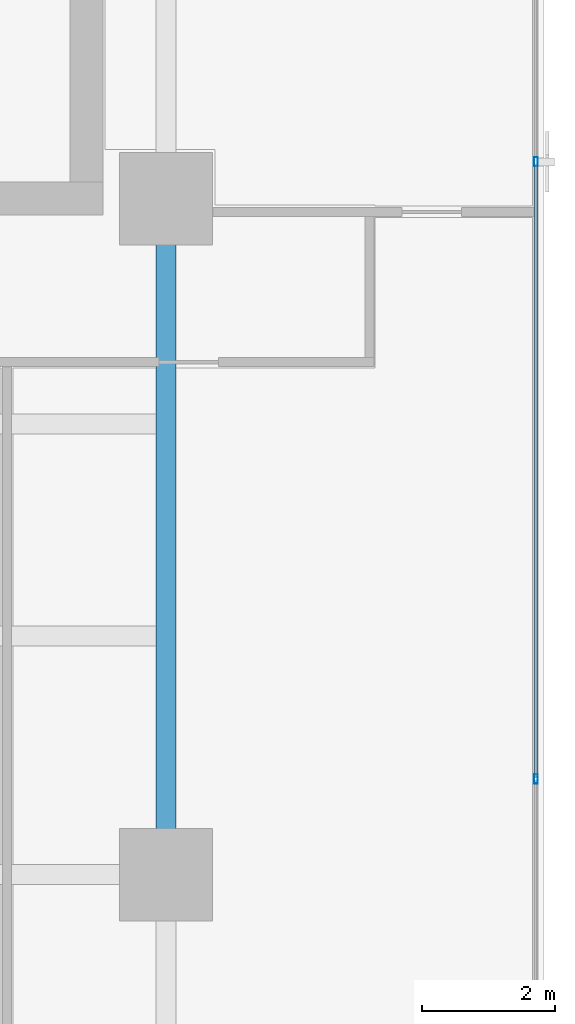
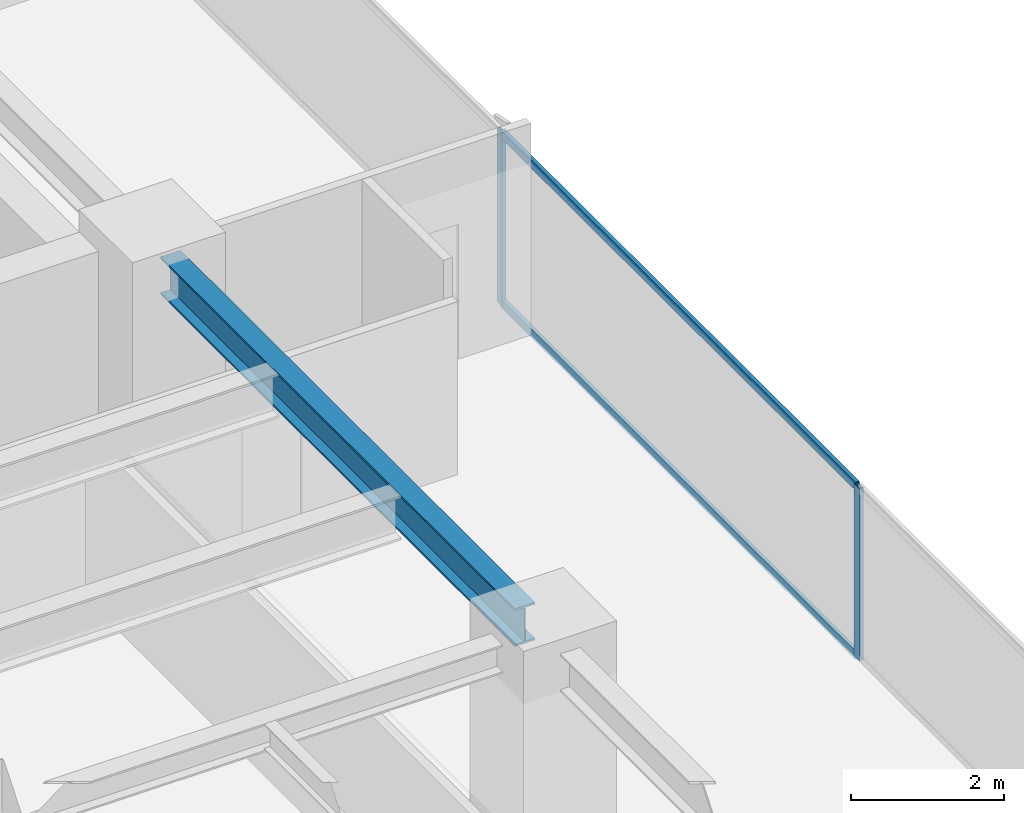
# One storey, part 13 of 25: 4 members, 1 beam, 1 element without a shape of its own.
"""IFC4 building model written with IfcOpenShell, lengths in metres."""

from ifc_helpers import new_model, si_unit, direction, frame, origin, origin_2d, place, context, subcontext, project, spatial, hollow_rectangle, i_section, extrude, source, transform, mapped, material, layer, layer_set, material_profile, profile_set, type_object, element, aggregate, save


model = new_model("IFC4")

# Units and contexts
model_context = context("Model", 3, precision=1e-05, world=origin(), true_north=direction((0.0, 1.0)))
body_context = subcontext(model_context, "Body", "Model", "MODEL_VIEW")
ifc_project = project(units=[si_unit("LENGTHUNIT", "METRE"), si_unit("AREAUNIT", "SQUARE_METRE"), si_unit("VOLUMEUNIT", "CUBIC_METRE"), si_unit("PLANEANGLEUNIT", "RADIAN"), si_unit("MASSUNIT", "GRAM", prefix="KILO")], contexts=[model_context])

# Site, building, storey
site_placement = place(None, origin())
site = spatial("IfcSite", under=ifc_project, at=site_placement, CompositionType="ELEMENT")
building_placement = place(site_placement, origin())
building = spatial("IfcBuilding", under=site, at=building_placement, Name="Sumidabori Civic Tower", CompositionType="ELEMENT")
storey_placement = place(building_placement, frame((0.0, 0.0, 232.39990234375)))
storey = spatial("IfcBuildingStorey", under=building, at=storey_placement, Name="L60", CompositionType="ELEMENT", Elevation=232.39990234375)

# Beam
ifc_material_1 = material(Name="Steel SN490", Category="steel")
ifc_material_profile_1 = material_profile(ifc_material_1, i_section(OverallWidth=0.300048828125, OverallDepth=0.60009765625, WebThickness=0.015380859375, FlangeThickness=0.030029296875, at=origin_2d()), Name="HE 600 B")
ifc_profile_set_1 = profile_set([ifc_material_profile_1], Name="Steel SN490")
beam_type = type_object("IfcBeamType", Name="BM-GIRD-600", PredefinedType="BEAM", material=ifc_profile_set_1)
shared_shape_1 = source(origin(), body_context, "Body", "SweptSolid", [
    extrude(i_section(OverallWidth=0.300048828125, OverallDepth=0.60009765625, WebThickness=0.015380859375, FlangeThickness=0.030029296875, at=origin_2d()), origin(), (0.0, 0.0, 1.0), 9.239990234375),
])
beam_placement = place(storey_placement, frame((16.800048828125, 0.47998046875, 3.070068359375), z_axis=(0.0, 1.0, 0.0), x_axis=(-1.0, 0.0, 0.0)))
element("IfcBeam", 1, at=beam_placement, inside=storey, type_object=beam_type, Name="Primary Girder L60 GY-16", PredefinedType="BEAM", context=body_context, shape_type="MappedRepresentation", body=[
    mapped(shared_shape_1, transform((0.0, 0.0, 0.0), x_axis=(1.0, 0.0, 0.0), y_axis=(0.0, 1.0, 0.0), z_axis=(0.0, 0.0, 1.0), scale=1.0)),
])

# Curtain wall, members
ifc_material_2 = material(Name="Anodised Bronze Aluminium AW-6063-T6", Category="aluminium")
ifc_layer = layer(ifc_material_2, 0.179931640625, Name="Anodised Bronze Aluminium AW-6063-T6")
ifc_layer_set = layer_set([ifc_layer], Name="Anodised Bronze Aluminium AW-6063-T6")
curtain_wall_type = type_object("IfcCurtainWallType", Name="CW-SYS-5", PredefinedType="NOTDEFINED", material=ifc_layer_set)
curtain_wall_placement = place(storey_placement, origin())
curtain_wall = element("IfcCurtainWall", 2, at=curtain_wall_placement, inside=storey, type_object=curtain_wall_type, Name="Curtain Wall CW:L60:R04", PredefinedType="NOTDEFINED")
ifc_material_profile_2 = material_profile(ifc_material_2, hollow_rectangle(XDim=0.06005859375, YDim=0.139892578125, WallThickness=0.0048828125, at=origin_2d()), Name="ALU MULLION 140x60")
ifc_profile_set_2 = profile_set([ifc_material_profile_2], Name="Anodised Bronze Aluminium AW-6063-T6")
member_type_1 = type_object("IfcMemberType", Name="CW-MUL-140", PredefinedType="MULLION", material=ifc_profile_set_2)
shared_shape_2 = source(origin(), body_context, "Body", "SweptSolid", [
    extrude(hollow_rectangle(XDim=0.06005859375, YDim=0.139892578125, WallThickness=0.0048828125, at=origin_2d()), origin(), (0.0, 0.0, 1.0), 2.75),
])
member_1_placement = place(storey_placement, frame((22.3798828125, 1.443359375, 0.0), z_axis=(0.0, 0.0, 1.0), x_axis=(-1.0, 0.0, 0.0)))
member_1 = element("IfcMember", 3, at=member_1_placement, type_object=member_type_1, Name="CW-5 mullion 2", PredefinedType="MULLION", context=body_context, shape_type="MappedRepresentation", body=[
    mapped(shared_shape_2, transform((0.0, 0.0, 0.0), x_axis=(1.0, 0.0, 0.0), y_axis=(0.0, 1.0, 0.0), z_axis=(0.0, 0.0, 1.0), scale=1.0)),
])
member_2_placement = place(storey_placement, frame((22.3798828125, 10.756591796875, 0.0), z_axis=(0.0, 0.0, 1.0), x_axis=(-1.0, 0.0, 0.0)))
member_2 = element("IfcMember", 4, at=member_2_placement, type_object=member_type_1, Name="CW-5 mullion 3", PredefinedType="MULLION", context=body_context, shape_type="MappedRepresentation", body=[
    mapped(shared_shape_2, transform((0.0, 0.0, 0.0), x_axis=(1.0, 0.0, 0.0), y_axis=(0.0, 1.0, 0.0), z_axis=(0.0, 0.0, 1.0), scale=1.0)),
])
ifc_material_profile_3 = material_profile(ifc_material_2, hollow_rectangle(XDim=0.06005859375, YDim=0.1298828125, WallThickness=0.0048828125, at=origin_2d()), Name="ALU TRANSOM 130x60")
ifc_profile_set_3 = profile_set([ifc_material_profile_3], Name="Anodised Bronze Aluminium AW-6063-T6")
member_type_2 = type_object("IfcMemberType", Name="CW-TRN-130", PredefinedType="USERDEFINED", material=ifc_profile_set_3)
shared_shape_3 = source(origin(), body_context, "Body", "SweptSolid", [
    extrude(hollow_rectangle(XDim=0.06005859375, YDim=0.1298828125, WallThickness=0.0048828125, at=origin_2d()), origin(), (0.0, 0.0, 1.0), 9.253173828125),
])
member_3_placement = place(storey_placement, frame((22.3798828125, 1.473388671875, 0.030029296875), z_axis=(0.0, 1.0, 0.0), x_axis=(-1.0, 0.0, 0.0)))
member_3 = element("IfcMember", 5, at=member_3_placement, type_object=member_type_2, Name="CW-5 transom 2.1", ObjectType="TRANSOM", PredefinedType="USERDEFINED", context=body_context, shape_type="MappedRepresentation", body=[
    mapped(shared_shape_3, transform((0.0, 0.0, 0.0), x_axis=(1.0, 0.0, 0.0), y_axis=(0.0, 1.0, 0.0), z_axis=(0.0, 0.0, 1.0), scale=1.0)),
])
member_4_placement = place(storey_placement, frame((22.3798828125, 1.473388671875, 2.72021484375), z_axis=(0.0, 1.0, 0.0), x_axis=(-1.0, 0.0, 0.0)))
member_4 = element("IfcMember", 6, at=member_4_placement, type_object=member_type_2, Name="CW-5 transom 2.2", ObjectType="TRANSOM", PredefinedType="USERDEFINED", context=body_context, shape_type="MappedRepresentation", body=[
    mapped(shared_shape_3, transform((0.0, 0.0, 0.0), x_axis=(1.0, 0.0, 0.0), y_axis=(0.0, 1.0, 0.0), z_axis=(0.0, 0.0, 1.0), scale=1.0)),
])
aggregate(curtain_wall, [member_1, member_2, member_3, member_4])

save(model, "model.ifc")
